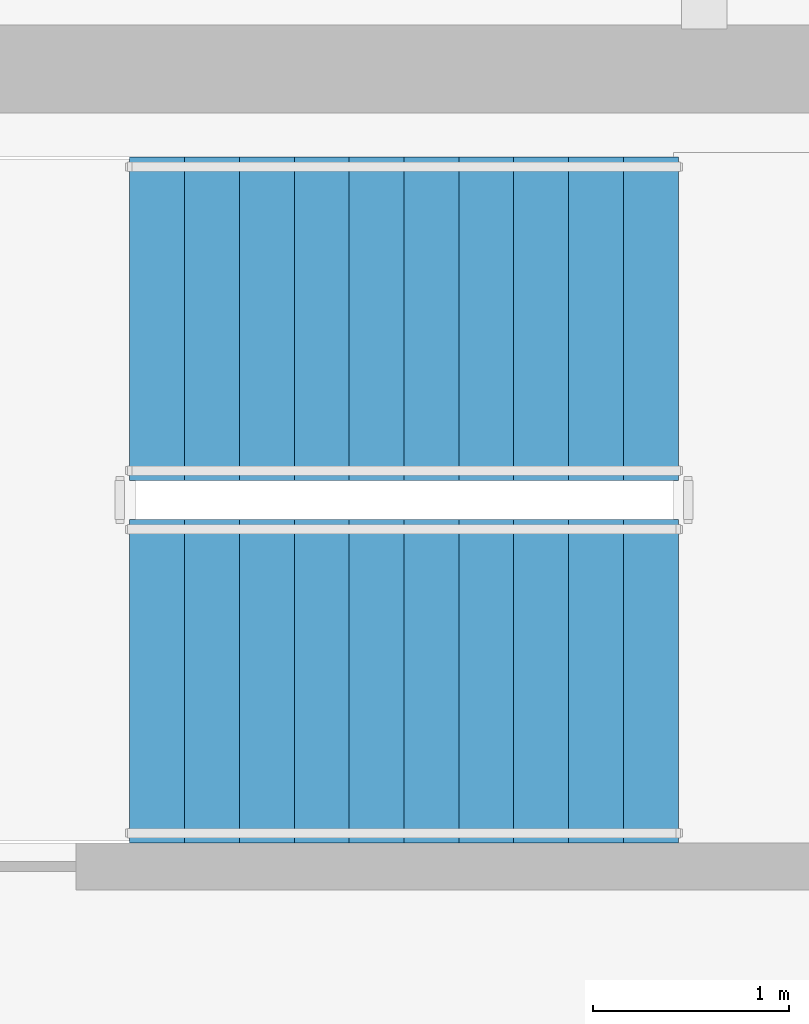
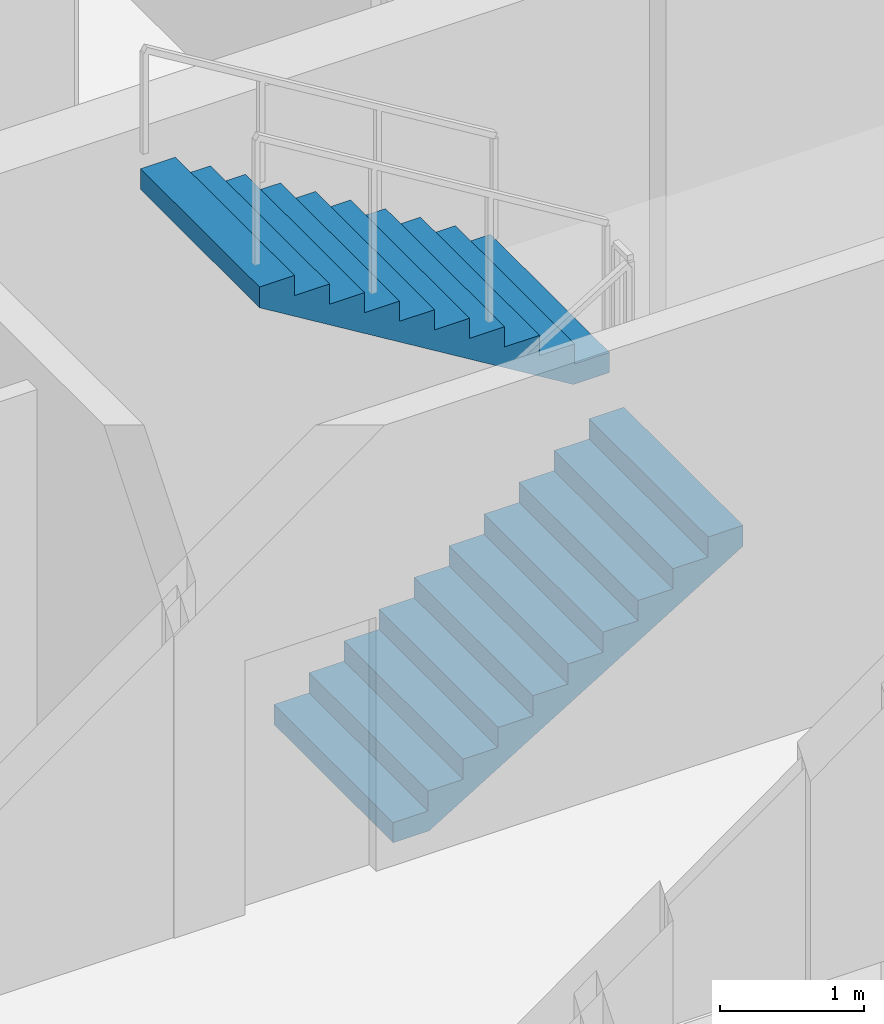
# One storey, part 22 of 25: 2 stair flights, 1 element without a shape of its own.
"""IFC4 building model written with IfcOpenShell, lengths in metres."""

from ifc_helpers import new_model, si_unit, direction, frame, origin, place, context, subcontext, project, spatial, polyline, outline, extrude, material, type_object, element, aggregate, save


model = new_model("IFC4")

# Units and contexts
model_context = context("Model", 3, precision=1e-05, world=origin(), true_north=direction((0.0, 1.0)))
body_context = subcontext(model_context, "Body", "Model", "MODEL_VIEW")
ifc_project = project(units=[si_unit("LENGTHUNIT", "METRE"), si_unit("AREAUNIT", "SQUARE_METRE"), si_unit("VOLUMEUNIT", "CUBIC_METRE"), si_unit("PLANEANGLEUNIT", "RADIAN"), si_unit("MASSUNIT", "GRAM", prefix="KILO")], contexts=[model_context])

# Site, building, storey
site_placement = place(None, origin())
site = spatial("IfcSite", under=ifc_project, at=site_placement, CompositionType="ELEMENT")
building_placement = place(site_placement, origin())
building = spatial("IfcBuilding", under=site, at=building_placement, Name="Haldenkirk Collegiate Tower", CompositionType="ELEMENT")
storey_placement = place(building_placement, frame((0.0, 0.0, 325.199951171875)))
storey = spatial("IfcBuildingStorey", under=building, at=storey_placement, Name="L82", CompositionType="ELEMENT", Elevation=325.199951171875)

# Stair, stair flights
ifc_material = material(Name="Concrete f'c 40 MPa", Category="concrete")
stair_type = type_object("IfcStairType", Name="STR-DOGLEG-1650", PredefinedType="HALF_TURN_STAIR", material=ifc_material)
stair_placement = place(storey_placement, origin())
stair = element("IfcStair", 1, at=stair_placement, inside=storey, type_object=stair_type, Name="L82 Core Exit Stair ST-3", PredefinedType="HALF_TURN_STAIR")
stair_flight_type = type_object("IfcStairFlightType", Name="STF-FLIGHT-1650", PredefinedType="STRAIGHT", material=ifc_material)
stair_flight_1_placement = place(storey_placement, frame((33.64990234375, 30.875, 0.0), z_axis=(0.0, 0.0, 1.0), x_axis=(1.0, 0.0, 0.0)))
stair_flight_1 = element("IfcStairFlight", 2, at=stair_flight_1_placement, type_object=stair_flight_type, Name="ST-3 flight 1", NumberOfRisers=11, NumberOfTreads=10, PredefinedType="STRAIGHT", RiserHeight=0.170454545, TreadLength=0.28, context=body_context, shape_type="SweptSolid", body=[
    extrude(outline(polyline([(0.0, 0.0), (0.0, 0.17041015625), (0.280029296875, 0.17041015625), (0.280029296875, 0.3408203125), (0.56005859375, 0.3408203125), (0.56005859375, 0.511474609375), (0.840087890625, 0.511474609375), (0.840087890625, 0.681884765625), (1.1201171875, 0.681884765625), (1.1201171875, 0.852294921875), (1.39990234375, 0.852294921875), (1.39990234375, 1.022705078125), (1.679931640625, 1.022705078125), (1.679931640625, 1.193115234375), (1.9599609375, 1.193115234375), (1.9599609375, 1.363525390625), (2.239990234375, 1.363525390625), (2.239990234375, 1.5341796875), (2.52001953125, 1.5341796875), (2.52001953125, 1.70458984375), (2.800048828125, 1.70458984375), (2.800048828125, 1.875), (2.800048828125, 1.529052734375), (0.288330078125, 0.0), (0.0, 0.0)])), frame((0.0, 0.824951171875, 0.0), z_axis=(0.0, -1.0, 0.0), x_axis=(1.0, 0.0, 0.0)), (0.0, 0.0, 1.0), 1.64990234375),
])
stair_flight_2_placement = place(storey_placement, frame((36.449951171875, 32.72509765625, 1.875), z_axis=(0.0, 0.0, 1.0), x_axis=(-1.0, 0.0, 0.0)))
stair_flight_2 = element("IfcStairFlight", 3, at=stair_flight_2_placement, type_object=stair_flight_type, Name="ST-3 flight 2", NumberOfRisers=11, NumberOfTreads=10, PredefinedType="STRAIGHT", RiserHeight=0.170454545, TreadLength=0.28, context=body_context, shape_type="SweptSolid", body=[
    extrude(outline(polyline([(0.0, 0.0), (0.0, 0.17041015625), (0.280029296875, 0.17041015625), (0.280029296875, 0.3408203125), (0.56005859375, 0.3408203125), (0.56005859375, 0.511474609375), (0.840087890625, 0.511474609375), (0.840087890625, 0.681884765625), (1.1201171875, 0.681884765625), (1.1201171875, 0.852294921875), (1.39990234375, 0.852294921875), (1.39990234375, 1.022705078125), (1.679931640625, 1.022705078125), (1.679931640625, 1.193115234375), (1.9599609375, 1.193115234375), (1.9599609375, 1.363525390625), (2.239990234375, 1.363525390625), (2.239990234375, 1.5341796875), (2.52001953125, 1.5341796875), (2.52001953125, 1.70458984375), (2.800048828125, 1.70458984375), (2.800048828125, 1.875), (2.800048828125, 1.529052734375), (0.288330078125, 0.0), (0.0, 0.0)])), frame((0.0, 0.824951171875, 0.0), z_axis=(0.0, -1.0, 0.0), x_axis=(1.0, 0.0, 0.0)), (0.0, 0.0, 1.0), 1.64990234375),
])
aggregate(stair, [stair_flight_1, stair_flight_2])

save(model, "model.ifc")
